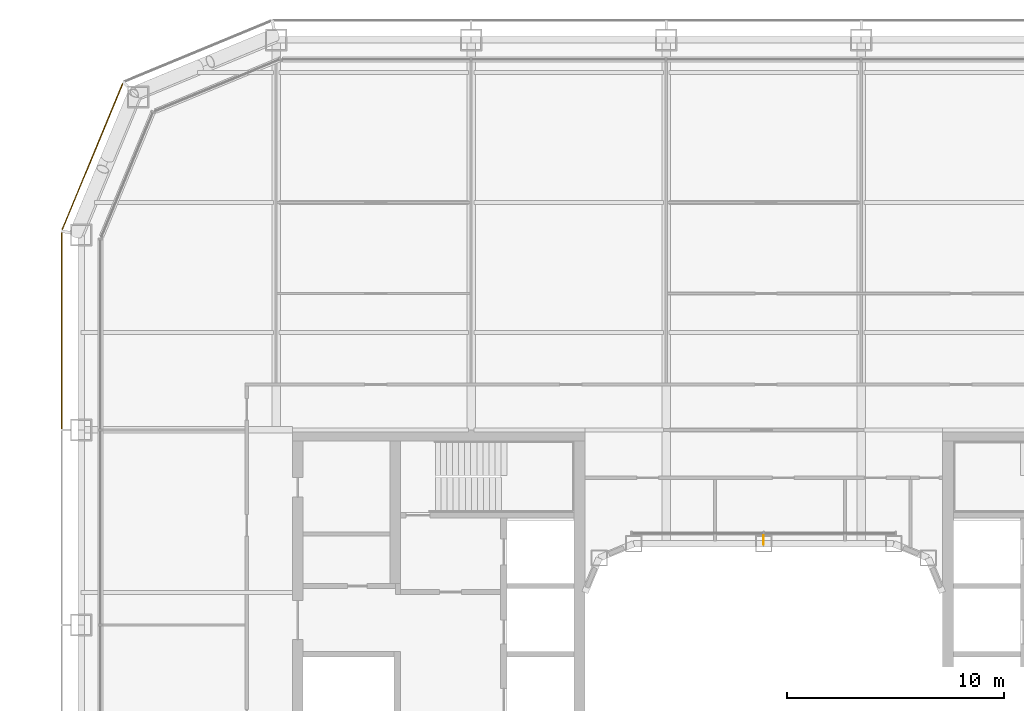
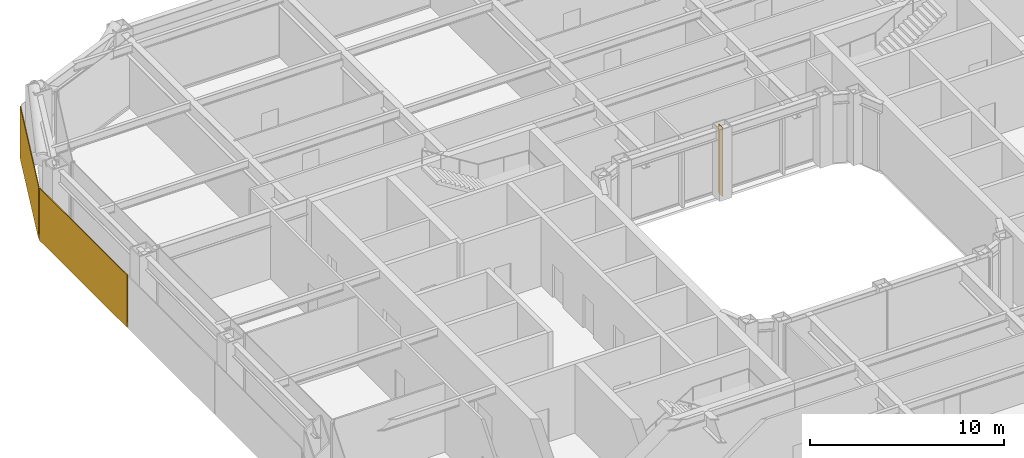
# One storey, part 25 of 27: 2 coverings, 1 shading device.
"""IFC4 building model written with IfcOpenShell, lengths in metres."""

from ifc_helpers import new_model, si_unit, direction, frame, origin, origin_2d, place, context, subcontext, project, spatial, rectangle, extrude, material, layer, layer_set, type_object, element, save


model = new_model("IFC4")

# Units and contexts
model_context = context("Model", 3, precision=1e-05, world=origin(), true_north=direction((0.0, 1.0)))
body_context = subcontext(model_context, "Body", "Model", "MODEL_VIEW")
ifc_project = project(units=[si_unit("LENGTHUNIT", "METRE"), si_unit("AREAUNIT", "SQUARE_METRE"), si_unit("VOLUMEUNIT", "CUBIC_METRE"), si_unit("PLANEANGLEUNIT", "RADIAN"), si_unit("MASSUNIT", "GRAM", prefix="KILO")], contexts=[model_context])

# Site, building, storey
site_placement = place(None, origin())
site = spatial("IfcSite", under=ifc_project, at=site_placement, CompositionType="ELEMENT")
building_placement = place(site_placement, origin())
building = spatial("IfcBuilding", under=site, at=building_placement, Name="Siwar Civic Tower", CompositionType="ELEMENT")
storey_placement = place(building_placement, frame((0.0, 0.0, 53.699951171875)))
storey = spatial("IfcBuildingStorey", under=building, at=storey_placement, Name="L11", CompositionType="ELEMENT", Elevation=53.699951171875)

# Shading device
ifc_material_1 = material(Name="Aluminium 6063-T6", Category="aluminium")
ifc_layer_1 = layer(ifc_material_1, 0.02001953125)
ifc_layer_set_1 = layer_set([ifc_layer_1], Name="Aluminium 6063-T6")
shading_device_type = type_object("IfcShadingDeviceType", Name="ENV-FIN", PredefinedType="JALOUSIE", material=ifc_layer_set_1)
shading_device_placement = place(storey_placement, frame((0.0, 8.419921875, 0.0), z_axis=(0.0, 0.0, 1.0), x_axis=(-1.0, 0.0, 0.0)))
element("IfcShadingDevice", 1, at=shading_device_placement, inside=storey, type_object=shading_device_type, Name="SUNSHADE fin WN 1", PredefinedType="JALOUSIE", context=body_context, shape_type="SweptSolid", body=[
    extrude(rectangle(XDim=0.02001953125, YDim=0.449951171875, at=origin_2d()), origin(), (0.0, 0.0, 1.0), 4.35009765625),
])

# Coverings
ifc_material_2 = material(Name="Perforated aluminium cassette, pale metal", Category="aluminium")
ifc_layer_2 = layer(ifc_material_2, 0.044921875)
ifc_layer_set_2 = layer_set([ifc_layer_2], Name="Perforated aluminium cassette, pale metal")
covering_type_1 = type_object("IfcCoveringType", Name="ENV-OUTER SKIN OS-2", PredefinedType="CLADDING", material=ifc_layer_set_2)
covering_1_placement = place(storey_placement, frame((-30.976318359375, 26.115966796875, -0.14990234375), z_axis=(0.0, 0.0, 1.0), x_axis=(-0.382683432365, -0.923879532511, 0.0)))
element("IfcCovering", 2, at=covering_1_placement, inside=storey, type_object=covering_type_1, Name="OUTER SKIN OS-2 NW2 1", PredefinedType="CLADDING", context=body_context, shape_type="SweptSolid", body=[
    extrude(rectangle(XDim=7.300048828125, YDim=0.044921875, at=origin_2d()), origin(), (0.0, 0.0, 1.0), 3.300048828125),
])
ifc_material_3 = material(Name="Perforated aluminium cassette, pale metal", Category="aluminium")
ifc_layer_3 = layer(ifc_material_3, 0.050048828125)
ifc_layer_set_3 = layer_set([ifc_layer_3], Name="Perforated aluminium cassette, pale metal")
covering_type_2 = type_object("IfcCoveringType", Name="ENV-OUTER SKIN OS-3", PredefinedType="CLADDING", material=ifc_layer_set_3)
covering_2_placement = place(storey_placement, frame((-32.39990234375, 18.07958984375, -0.14990234375), z_axis=(0.0, 0.0, 1.0), x_axis=(0.0, -1.0, 0.0)))
element("IfcCovering", 3, at=covering_2_placement, inside=storey, type_object=covering_type_2, Name="OUTER SKIN OS-3 W 1", PredefinedType="CLADDING", context=body_context, shape_type="SweptSolid", body=[
    extrude(rectangle(XDim=9.05908203125, YDim=0.050048828125, at=origin_2d()), origin(), (0.0, 0.0, 1.0), 3.300048828125),
])

save(model, "model.ifc")
